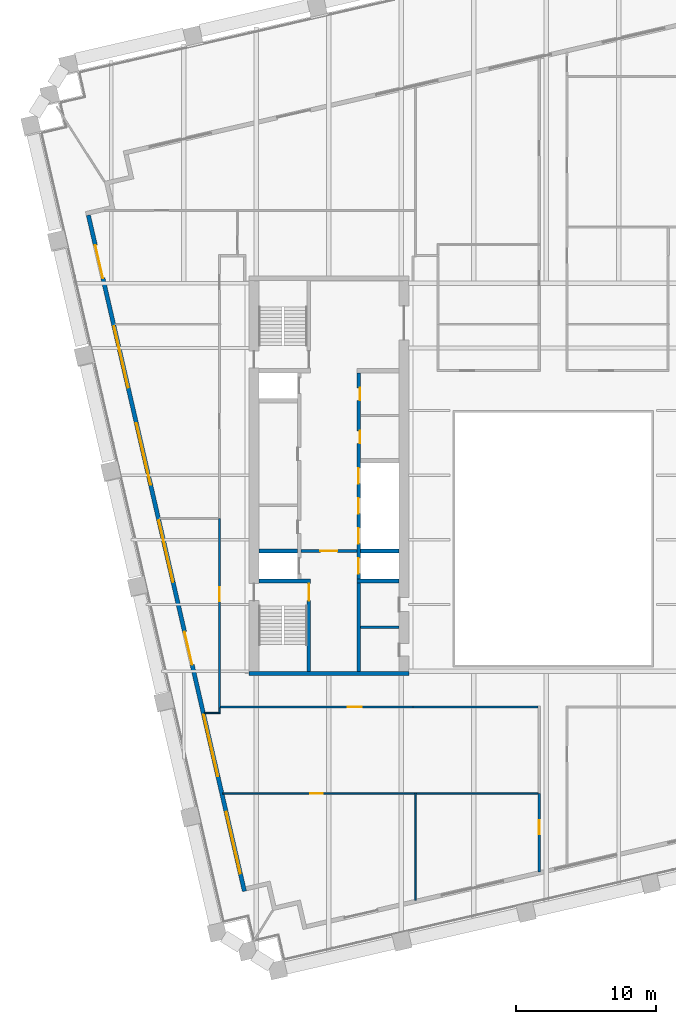
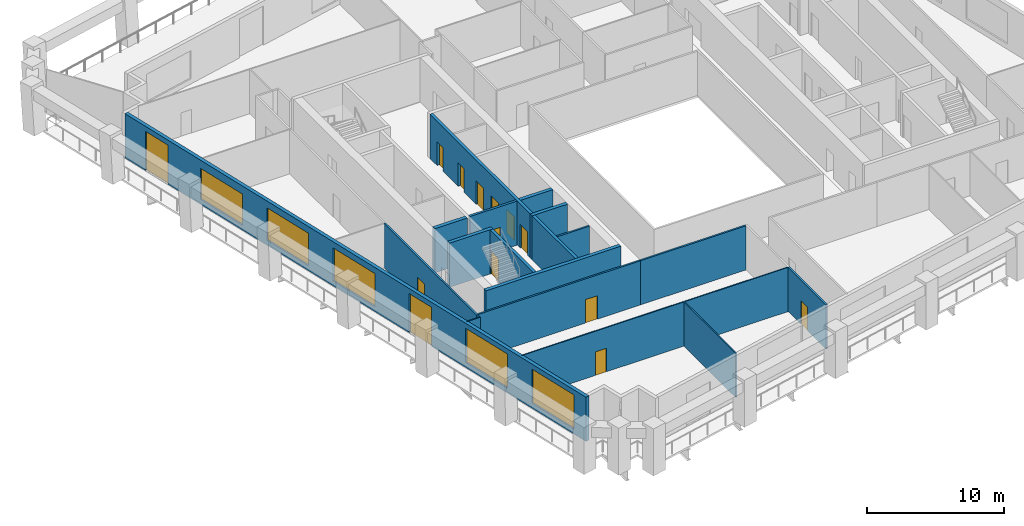
# One storey, part 4 of 11: 19 walls, 14 doors, 5 windows, 19 openings.
"""IFC4 building model written with IfcOpenShell, lengths in metres."""

import ifcopenshell
import ifcopenshell.guid

model = None  # the IFC model being written
_history = None  # IfcOwnerHistory: only IFC2X3 demands one
_inside = {}  # id of a spatial element -> (the spatial element, [elements in it])
_under = {}  # id of a project, library or spatial element -> (it, [spatial elements below it])
_declared = {}  # id of a project -> (the project, [libraries it declares])
_typed = {}  # id of a type object -> (the type object, [elements of that type])
_made_of = {}  # id of a material, layer set ... -> (it, [elements and type objects made of it])


def new_model(schema):
    """Start an empty IFC model of exactly this schema.

    Asked for "IFC4X3", IfcOpenShell would pick the latest addendum, in which some entities
    have other attributes; the version numbers below select the first issue.
    IFC2X3 requires an IfcOwnerHistory on every rooted entity: one is made here for all.
    """
    global model, _history
    if schema == "IFC4X3":
        model = ifcopenshell.file(schema_version=(4, 3, 0, 0))
    else:
        model = ifcopenshell.file(schema=schema)
    _inside.clear()
    _under.clear()
    _declared.clear()
    _typed.clear()
    _made_of.clear()
    _history = None
    if model.schema == "IFC2X3":
        org = make("IfcOrganization", Name="unknown")
        user = make(
            "IfcPersonAndOrganization",
            ThePerson=make("IfcPerson", FamilyName="unknown"),
            TheOrganization=org,
        )
        app = make(
            "IfcApplication",
            ApplicationDeveloper=org,
            Version="unknown",
            ApplicationFullName="unknown",
            ApplicationIdentifier="unknown",
        )
        _history = make(
            "IfcOwnerHistory",
            OwningUser=user,
            OwningApplication=app,
            ChangeAction="ADDED",
            CreationDate=0,
        )
    return model


def make(cls, **values):
    """One entity of the class cls with the attributes given. An attribute that is None is left unset."""
    return model.create_entity(
        cls, **{name: value for name, value in values.items() if value is not None}
    )


def rooted(cls, **values):
    """An entity with a GlobalId (a new one), such as an element, a storey or a relation."""
    return make(cls, GlobalId=ifcopenshell.guid.new(), OwnerHistory=_history, **values)


def si_unit(unit_type, name, prefix=None):
    """IfcSIUnit, for example si_unit("LENGTHUNIT", "METRE", prefix="MILLI")."""
    return make("IfcSIUnit", UnitType=unit_type, Prefix=prefix, Name=name)


def assignment(units):
    """IfcUnitAssignment: the units of a project."""
    return None if units is None else make("IfcUnitAssignment", Units=units)


def point(xyz):
    """IfcCartesianPoint."""
    return None if xyz is None else make("IfcCartesianPoint", Coordinates=xyz)


def direction(xyz):
    """IfcDirection."""
    return None if xyz is None else make("IfcDirection", DirectionRatios=xyz)


def frame(location, z_axis=None, x_axis=None):
    """IfcAxis2Placement3D, a coordinate frame: its origin and axes. An axis left out is left unset."""
    return make(
        "IfcAxis2Placement3D",
        Location=point(location),
        Axis=direction(z_axis),
        RefDirection=direction(x_axis),
    )


def frame_2d(location, x_axis=None):
    """IfcAxis2Placement2D, a coordinate frame in the plane: its origin and x axis."""
    return make(
        "IfcAxis2Placement2D", Location=point(location), RefDirection=direction(x_axis)
    )


def origin():
    """The frame at (0, 0, 0) with its axes left unset."""
    return frame((0.0, 0.0, 0.0))


def place(relative_to, where):
    """IfcLocalPlacement: puts the frame where relative to a parent placement (None: the world)."""
    return make(
        "IfcLocalPlacement", PlacementRelTo=relative_to, RelativePlacement=where
    )


def context(
    kind, dimensions, precision=None, world=None, true_north=None, identifier=None
):
    """IfcGeometricRepresentationContext, for example the 3D "Model" context."""
    return make(
        "IfcGeometricRepresentationContext",
        ContextIdentifier=identifier,
        ContextType=kind,
        CoordinateSpaceDimension=dimensions,
        Precision=precision,
        WorldCoordinateSystem=world,
        TrueNorth=true_north,
    )


def subcontext(parent, identifier, kind, view, scale=None):
    """IfcGeometricRepresentationSubContext, for example "Body" below "Model"."""
    return make(
        "IfcGeometricRepresentationSubContext",
        ContextIdentifier=identifier,
        ContextType=kind,
        ParentContext=parent,
        TargetScale=scale,
        TargetView=view,
    )


def project(units=None, contexts=None):
    """IfcProject with its units and contexts."""
    return rooted(
        "IfcProject",
        Name="project",
        RepresentationContexts=contexts,
        UnitsInContext=assignment(units),
    )


def spatial(cls, under=None, at=None, **own):
    """A site, building, storey or space (cls), placed at a placement, below another one or the project."""
    s = rooted(cls, ObjectPlacement=at, **own)
    if under is not None:
        _under.setdefault(under.id(), (under, []))[1].append(s)
    return s


def profile(cls, at=None, kind="AREA", **sizes):
    """A parametric profile (cls). Its sizes go by their IFC names, for example OverallWidth=200.0."""
    return make(cls, ProfileType=kind, Position=at, **sizes)


def rectangle(**sizes):
    """IfcRectangleProfileDef."""
    return profile("IfcRectangleProfileDef", **sizes)


def extrude(swept, where, along, depth):
    """IfcExtrudedAreaSolid: the profile swept, set in the frame where, extruded along a direction by depth."""
    return make(
        "IfcExtrudedAreaSolid",
        SweptArea=swept,
        Position=where,
        ExtrudedDirection=direction(along),
        Depth=depth,
    )


def shape(context_of_items, identifier, shape_type, items):
    """IfcShapeRepresentation: the items that make up one representation, for example the "Body"."""
    return make(
        "IfcShapeRepresentation",
        ContextOfItems=context_of_items,
        RepresentationIdentifier=identifier,
        RepresentationType=shape_type,
        Items=items,
    )


def material(Name=None, Category=None):
    """IfcMaterial."""
    return make("IfcMaterial", Name=Name, Category=Category)


def layer(
    of_material, thickness, ventilated=None, Name=None, Category=None, Priority=None
):
    """IfcMaterialLayer: one layer of a wall or slab, of a material (None: an air gap)."""
    return make(
        "IfcMaterialLayer",
        Material=of_material,
        LayerThickness=thickness,
        IsVentilated=ventilated,
        Name=Name,
        Category=Category,
        Priority=Priority,
    )


def layer_set(layers, Name=None):
    """IfcMaterialLayerSet."""
    return make("IfcMaterialLayerSet", MaterialLayers=layers, LayerSetName=Name)


def made_of(thing, what):
    """Note that an element or type object is made of a material, layer set ...; save() writes the relation."""
    if what is not None:
        _made_of.setdefault(what.id(), (what, []))[1].append(thing)
    return thing


def type_object(cls, material=None, **own):
    """A type object (cls), such as IfcWallType, which elements share."""
    return made_of(rooted(cls, **own), material)


def element(
    cls,
    number,
    at=None,
    inside=None,
    cuts=None,
    type_object=None,
    material=None,
    context=None,
    identifier="Body",
    shape_type=None,
    held_by="IfcProductDefinitionShape",
    body=None,
    shapes=None,
    **own,
):
    """One element of the class cls, such as IfcWall. Its Tag is "e" and its number.

    at: its placement. inside: the storey or other place that contains it. cuts: it is an
    opening in that element (IfcRelVoidsElement). A single representation is given by context,
    identifier, shape_type and body (its items); several are given by shapes. held_by: the class
    of the entity that holds the representations. save() writes the other relations.
    """
    e = rooted(cls, Tag="e%d" % number, ObjectPlacement=at, **own)
    if body is not None:
        shapes = [shape(context, identifier, shape_type, body)]
    if shapes is not None:
        e.Representation = make(held_by, Representations=shapes)
    if inside is not None:
        _inside.setdefault(inside.id(), (inside, []))[1].append(e)
    if cuts is not None:
        rooted(
            "IfcRelVoidsElement", RelatingBuildingElement=cuts, RelatedOpeningElement=e
        )
    if type_object is not None:
        _typed.setdefault(type_object.id(), (type_object, []))[1].append(e)
    return made_of(e, material)


def fill(opening, filler):
    """IfcRelFillsElement: the door or window that sits in an opening."""
    return rooted(
        "IfcRelFillsElement",
        RelatingOpeningElement=opening,
        RelatedBuildingElement=filler,
    )


def aggregate(whole, parts):
    """IfcRelAggregates: a whole, such as a stair, and the parts it consists of."""
    return rooted("IfcRelAggregates", RelatingObject=whole, RelatedObjects=parts)


def save(model, path):
    """Write the relations noted so far, then the file.

    IfcRelAggregates (storeys below a building ...), IfcRelContainedInSpatialStructure (elements
    in a storey), IfcRelDefinesByType, IfcRelAssociatesMaterial and IfcRelDeclares: one each for
    every whole, place, type object, material and project.
    """
    for whole, parts in _under.values():
        aggregate(whole, parts)
    for where, things in _inside.values():
        rooted(
            "IfcRelContainedInSpatialStructure",
            RelatedElements=things,
            RelatingStructure=where,
        )
    for kind, things in _typed.values():
        rooted("IfcRelDefinesByType", RelatedObjects=things, RelatingType=kind)
    for what, things in _made_of.values():
        rooted("IfcRelAssociatesMaterial", RelatedObjects=things, RelatingMaterial=what)
    for by, libraries in _declared.values():
        rooted("IfcRelDeclares", RelatingContext=by, RelatedDefinitions=libraries)
    model.write(path)


model = new_model("IFC4")

# Units and contexts
model_context = context("Model", 3, precision=1e-05, world=origin(), true_north=direction((0.0, 1.0)))
body_context = subcontext(model_context, "Body", "Model", "MODEL_VIEW")
ifc_project = project(units=[si_unit("LENGTHUNIT", "METRE"), si_unit("AREAUNIT", "SQUARE_METRE"), si_unit("VOLUMEUNIT", "CUBIC_METRE"), si_unit("PLANEANGLEUNIT", "RADIAN"), si_unit("MASSUNIT", "GRAM", prefix="KILO")], contexts=[model_context])

# Site, building, storey
site_placement = place(None, origin())
site = spatial("IfcSite", under=ifc_project, at=site_placement, CompositionType="ELEMENT")
building_placement = place(site_placement, origin())
building = spatial("IfcBuilding", under=site, at=building_placement, Name="Ogive Exchange Tower", CompositionType="ELEMENT")
storey_placement = place(building_placement, frame((0.0, 0.0, 217.800048828125)))
storey = spatial("IfcBuildingStorey", under=building, at=storey_placement, Name="L48", CompositionType="ELEMENT", Elevation=217.800048828125)

# Wall
ifc_material_1 = material(Name="Gypsum board partition")
ifc_layer_1 = layer(ifc_material_1, 0.14990234375)
ifc_layer_set_1 = layer_set([ifc_layer_1], Name="Core room partition 150 gypsum")
wall_type_1 = type_object("IfcWallType", Name="Core room partition 150 gypsum", PredefinedType="PARTITIONING", material=ifc_layer_set_1)
wall_1_placement = place(storey_placement, frame((-13.75, 0.699951171875, 0.0), z_axis=(0.0, 0.0, 1.0), x_axis=(1.0, 0.0, 0.0)))
element("IfcWall", 1, at=wall_1_placement, inside=storey, type_object=wall_type_1, Name="W south room partition", PredefinedType="PARTITIONING", context=body_context, shape_type="SweptSolid", body=[
    extrude(rectangle(XDim=2.75, YDim=0.14990234375, at=frame_2d((1.375, 0.0))), origin(), (0.0, 0.0, 1.0), 3.949951171875),
])

# Wall, opening, door
ifc_material_2 = material(Name="Fire partition EI 60 150")
ifc_layer_2 = layer(ifc_material_2, 0.14990234375)
ifc_layer_set_2 = layer_set([ifc_layer_2], Name="Fire partition EI 60 150")
wall_type_2 = type_object("IfcWallType", Name="Fire partition EI 60 150", PredefinedType="PARTITIONING", material=ifc_layer_set_2)
wall_2_placement = place(storey_placement, frame((-23.800048828125, -5.074951171875, 0.0), z_axis=(0.0, 0.0, 1.0), x_axis=(0.0, 1.0, 0.0)))
wall_2 = element("IfcWall", 2, at=wall_2_placement, inside=storey, type_object=wall_type_2, Name="L48-PWL-002", PredefinedType="PARTITIONING", context=body_context, shape_type="SweptSolid", body=[
    extrude(rectangle(XDim=13.52490234375, YDim=0.14990234375, at=frame_2d((6.762451171875, 0.0))), origin(), (0.0, 0.0, 1.0), 3.949951171875),
])
opening_1_placement = place(wall_2_placement, frame((7.625, 0.0, 0.0)))
opening_1 = element("IfcOpeningElement", 3, at=opening_1_placement, cuts=wall_2, Name="Opening L48-I08", PredefinedType="OPENING", context=body_context, shape_type="SweptSolid", body=[
    extrude(rectangle(XDim=1.0, YDim=2.10009765625, at=frame_2d((0.5, 1.050048828125))), frame((0.0, 0.0849609375, 0.0), z_axis=(0.0, -1.0, 0.0), x_axis=(1.0, 0.0, 0.0)), (0.0, 0.0, 1.0), 0.169921875),
])
ifc_material_3 = material(Name="Fire door FD 30S 1000 x 2100")
door_type_1 = type_object("IfcDoorType", Name="Fire door FD 30S 1000 x 2100", OperationType="NOTDEFINED", PredefinedType="DOOR", material=ifc_material_3)
door_1_placement = place(opening_1_placement, origin())
door_1 = element("IfcDoor", 4, at=door_1_placement, inside=storey, type_object=door_type_1, Name="L48-IDR-008", ObjectType="DT3", OperationType="SINGLE_SWING_RIGHT", OverallHeight=2.10009765625, OverallWidth=1.0, PredefinedType="DOOR", context=body_context, shape_type="SweptSolid", body=[
    extrude(rectangle(XDim=1.0, YDim=2.10009765625, at=frame_2d((0.5, 1.050048828125))), frame((0.0, 0.02490234375, 0.0), z_axis=(0.0, -1.0, 0.0), x_axis=(1.0, 0.0, 0.0)), (0.0, 0.0, 1.0), 0.050048828125),
])
fill(opening_1, door_1)

wall_3_placement = place(storey_placement, frame((-10.0, -5.0, 0.0), z_axis=(0.0, 0.0, 1.0), x_axis=(-1.0, 0.0, 0.0)))
wall_3 = element("IfcWall", 5, at=wall_3_placement, inside=storey, type_object=wall_type_2, Name="L48-PWL-013", PredefinedType="PARTITIONING", context=body_context, shape_type="SweptSolid", body=[
    extrude(rectangle(XDim=13.715087890625, YDim=0.14990234375, at=frame_2d((6.857421875, 0.0))), origin(), (0.0, 0.0, 1.0), 3.949951171875),
])
opening_2_placement = place(wall_3_placement, frame((3.639892578125, 0.0, 0.0)))
opening_2 = element("IfcOpeningElement", 6, at=opening_2_placement, cuts=wall_3, Name="Opening L48-I09", PredefinedType="OPENING", context=body_context, shape_type="SweptSolid", body=[
    extrude(rectangle(XDim=1.0, YDim=2.10009765625, at=frame_2d((0.5, 1.050048828125))), frame((0.0, 0.0849609375, 0.0), z_axis=(0.0, -1.0, 0.0), x_axis=(1.0, 0.0, 0.0)), (0.0, 0.0, 1.0), 0.169921875),
])
door_2_placement = place(opening_2_placement, origin())
door_2 = element("IfcDoor", 7, at=door_2_placement, inside=storey, type_object=door_type_1, Name="L48-IDR-009", ObjectType="DT3", OperationType="SINGLE_SWING_RIGHT", OverallHeight=2.10009765625, OverallWidth=1.0, PredefinedType="DOOR", context=body_context, shape_type="SweptSolid", body=[
    extrude(rectangle(XDim=1.0, YDim=2.10009765625, at=frame_2d((0.5, 1.050048828125))), frame((0.0, 0.02490234375, 0.0), z_axis=(0.0, -1.0, 0.0), x_axis=(1.0, 0.0, 0.0)), (0.0, 0.0, 1.0), 0.050048828125),
])
fill(opening_2, door_2)

wall_4_placement = place(storey_placement, frame((-0.989990234375, -16.7529296875, 0.0), z_axis=(0.0, 0.0, 1.0), x_axis=(0.0, 1.0, 0.0)))
wall_4 = element("IfcWall", 8, at=wall_4_placement, inside=storey, type_object=wall_type_2, Name="L48-PWL-027", PredefinedType="PARTITIONING", context=body_context, shape_type="SweptSolid", body=[
    extrude(rectangle(XDim=5.5830078125, YDim=0.14990234375, at=frame_2d((2.79150390625, 0.0))), origin(), (0.0, 0.0, 1.0), 3.949951171875),
])
opening_3_placement = place(wall_4_placement, frame((2.68310546875, 0.0, 0.0)))
opening_3 = element("IfcOpeningElement", 9, at=opening_3_placement, cuts=wall_4, Name="Opening L48-I10", PredefinedType="OPENING", context=body_context, shape_type="SweptSolid", body=[
    extrude(rectangle(XDim=1.0, YDim=2.10009765625, at=frame_2d((0.5, 1.050048828125))), frame((0.0, 0.0849609375, 0.0), z_axis=(0.0, -1.0, 0.0), x_axis=(1.0, 0.0, 0.0)), (0.0, 0.0, 1.0), 0.169921875),
])
door_3_placement = place(opening_3_placement, origin())
door_3 = element("IfcDoor", 10, at=door_3_placement, inside=storey, type_object=door_type_1, Name="L48-IDR-010", ObjectType="DT3", OperationType="SINGLE_SWING_LEFT", OverallHeight=2.10009765625, OverallWidth=1.0, PredefinedType="DOOR", context=body_context, shape_type="SweptSolid", body=[
    extrude(rectangle(XDim=1.0, YDim=2.10009765625, at=frame_2d((0.5, 1.050048828125))), frame((0.0, 0.02490234375, 0.0), z_axis=(0.0, -1.0, 0.0), x_axis=(1.0, 0.0, 0.0)), (0.0, 0.0, 1.0), 0.050048828125),
])
fill(opening_3, door_3)

# Wall
wall_5_placement = place(storey_placement, frame((-1.06494140625, -5.0, 0.0), z_axis=(0.0, 0.0, 1.0), x_axis=(-1.0, 0.0, 0.0)))
element("IfcWall", 11, at=wall_5_placement, inside=storey, type_object=wall_type_2, Name="L48-PWL-030", PredefinedType="PARTITIONING", context=body_context, shape_type="SweptSolid", body=[
    extrude(rectangle(XDim=8.93505859375, YDim=0.14990234375, at=frame_2d((4.467529296875, 0.0))), origin(), (0.0, 0.0, 1.0), 3.949951171875),
])

# Wall, openings, doors, windows
ifc_material_4 = material(Name="Precast concrete C40/50", Category="concrete")
ifc_layer_3 = layer(ifc_material_4, 0.300048828125)
ifc_layer_set_3 = layer_set([ifc_layer_3], Name="Limestone-faced wall 300")
wall_type_3 = type_object("IfcWallType", Name="Limestone-faced wall 300", PredefinedType="STANDARD", material=ifc_layer_set_3)
wall_6_placement = place(storey_placement, frame((-33.1572265625, 30.092041015625, 0.0), z_axis=(0.0, 0.0, 1.0), x_axis=(0.224950279389, -0.974370243697, 0.0)))
wall_6 = element("IfcWall", 12, at=wall_6_placement, inside=storey, type_object=wall_type_3, Name="External wall W4", PredefinedType="STANDARD", context=body_context, shape_type="SweptSolid", body=[
    extrude(rectangle(XDim=49.499755859375, YDim=0.300048828125, at=frame_2d((24.75, 0.0))), origin(), (0.0, 0.0, 1.0), 3.949951171875),
])
opening_4_placement = place(wall_6_placement, frame((2.20703125, 0.0, 0.0)))
opening_4 = element("IfcOpeningElement", 13, at=opening_4_placement, cuts=wall_6, Name="Opening D1", PredefinedType="OPENING", context=body_context, shape_type="SweptSolid", body=[
    extrude(rectangle(XDim=2.39990234375, YDim=3.5, at=frame_2d((1.199951171875, 1.75))), frame((0.0, 0.159912109375, 0.0), z_axis=(0.0, -1.0, 0.0), x_axis=(1.0, 0.0, 0.0)), (0.0, 0.0, 1.0), 0.320068359375),
])
opening_5_placement = place(wall_6_placement, frame((8.121337890625, 0.0, 0.449951171875)))
opening_5 = element("IfcOpeningElement", 14, at=opening_5_placement, cuts=wall_6, Name="Opening W1G", PredefinedType="OPENING", context=body_context, shape_type="SweptSolid", body=[
    extrude(rectangle(XDim=4.5, YDim=2.77490234375, at=frame_2d((2.25, 1.387451171875))), frame((0.0, 0.159912109375, 0.0), z_axis=(0.0, -1.0, 0.0), x_axis=(1.0, 0.0, 0.0)), (0.0, 0.0, 1.0), 0.320068359375),
])
opening_6_placement = place(wall_6_placement, frame((15.235595703125, 0.0, 0.449951171875)))
opening_6 = element("IfcOpeningElement", 15, at=opening_6_placement, cuts=wall_6, Name="Opening W1C", PredefinedType="OPENING", context=body_context, shape_type="SweptSolid", body=[
    extrude(rectangle(XDim=4.5, YDim=2.89990234375, at=frame_2d((2.25, 1.449951171875))), frame((0.0, 0.159912109375, 0.0), z_axis=(0.0, -1.0, 0.0), x_axis=(1.0, 0.0, 0.0)), (0.0, 0.0, 1.0), 0.320068359375),
])
opening_7_placement = place(wall_6_placement, frame((22.35009765625, 0.0, 0.449951171875)))
opening_7 = element("IfcOpeningElement", 16, at=opening_7_placement, cuts=wall_6, Name="Opening W1B", PredefinedType="OPENING", context=body_context, shape_type="SweptSolid", body=[
    extrude(rectangle(XDim=4.5, YDim=2.949951171875, at=frame_2d((2.25, 1.47509765625))), frame((0.0, 0.159912109375, 0.0), z_axis=(0.0, -1.0, 0.0), x_axis=(1.0, 0.0, 0.0)), (0.0, 0.0, 1.0), 0.320068359375),
])
opening_8_placement = place(wall_6_placement, frame((30.51416015625, 0.0, 0.0)))
opening_8 = element("IfcOpeningElement", 17, at=opening_8_placement, cuts=wall_6, Name="Opening D1", PredefinedType="OPENING", context=body_context, shape_type="SweptSolid", body=[
    extrude(rectangle(XDim=2.39990234375, YDim=3.5, at=frame_2d((1.199951171875, 1.75))), frame((0.0, 0.159912109375, 0.0), z_axis=(0.0, -1.0, 0.0), x_axis=(1.0, 0.0, 0.0)), (0.0, 0.0, 1.0), 0.320068359375),
])
opening_9_placement = place(wall_6_placement, frame((36.57861328125, 0.0, 0.449951171875)))
opening_9 = element("IfcOpeningElement", 18, at=opening_9_placement, cuts=wall_6, Name="Opening W1", PredefinedType="OPENING", context=body_context, shape_type="SweptSolid", body=[
    extrude(rectangle(XDim=4.5, YDim=3.050048828125, at=frame_2d((2.25, 1.52490234375))), frame((0.0, 0.159912109375, 0.0), z_axis=(0.0, -1.0, 0.0), x_axis=(1.0, 0.0, 0.0)), (0.0, 0.0, 1.0), 0.320068359375),
])
opening_10_placement = place(wall_6_placement, frame((43.69287109375, 0.0, 0.449951171875)))
opening_10 = element("IfcOpeningElement", 19, at=opening_10_placement, cuts=wall_6, Name="Opening W1", PredefinedType="OPENING", context=body_context, shape_type="SweptSolid", body=[
    extrude(rectangle(XDim=4.5, YDim=3.050048828125, at=frame_2d((2.25, 1.52490234375))), frame((0.0, 0.159912109375, 0.0), z_axis=(0.0, -1.0, 0.0), x_axis=(1.0, 0.0, 0.0)), (0.0, 0.0, 1.0), 0.320068359375),
])
ifc_material_5 = material(Name="Clear glass in bronze frame", Category="glass")
door_type_2 = type_object("IfcDoorType", Name="Sliding loggia door 2400 x 3500", OperationType="DOUBLE_DOOR_SLIDING", PredefinedType="DOOR", material=ifc_material_5)
door_4_placement = place(opening_4_placement, origin())
door_4 = element("IfcDoor", 20, at=door_4_placement, inside=storey, type_object=door_type_2, Name="Loggia door W00", OperationType="DOUBLE_DOOR_SLIDING", OverallHeight=3.5, OverallWidth=2.39990234375, PredefinedType="DOOR", context=body_context, shape_type="SweptSolid", body=[
    extrude(rectangle(XDim=2.39990234375, YDim=3.5, at=frame_2d((1.199951171875, 1.75))), frame((0.0, 0.02490234375, 0.0), z_axis=(0.0, -1.0, 0.0), x_axis=(1.0, 0.0, 0.0)), (0.0, 0.0, 1.0), 0.050048828125),
])
fill(opening_4, door_4)
door_5_placement = place(opening_8_placement, origin())
door_5 = element("IfcDoor", 21, at=door_5_placement, inside=storey, type_object=door_type_2, Name="Loggia door W04", OperationType="DOUBLE_DOOR_SLIDING", OverallHeight=3.5, OverallWidth=2.39990234375, PredefinedType="DOOR", context=body_context, shape_type="SweptSolid", body=[
    extrude(rectangle(XDim=2.39990234375, YDim=3.5, at=frame_2d((1.199951171875, 1.75))), frame((0.0, 0.02490234375, 0.0), z_axis=(0.0, -1.0, 0.0), x_axis=(1.0, 0.0, 0.0)), (0.0, 0.0, 1.0), 0.050048828125),
])
fill(opening_8, door_5)
window_type_1 = type_object("IfcWindowType", Name="Twin lancet window 4500 x 2775", PartitioningType="DOUBLE_PANEL_VERTICAL", PredefinedType="WINDOW", material=ifc_material_5)
window_1_placement = place(opening_5_placement, origin())
window_1 = element("IfcWindow", 22, at=window_1_placement, inside=storey, type_object=window_type_1, Name="Window W01", OverallHeight=2.77490234375, OverallWidth=4.5, PartitioningType="DOUBLE_PANEL_VERTICAL", PredefinedType="WINDOW", context=body_context, shape_type="SweptSolid", body=[
    extrude(rectangle(XDim=4.5, YDim=2.77490234375, at=frame_2d((2.25, 1.387451171875))), frame((0.0, 0.030029296875, 0.0), z_axis=(0.0, -1.0, 0.0), x_axis=(1.0, 0.0, 0.0)), (0.0, 0.0, 1.0), 0.06005859375),
])
fill(opening_5, window_1)
window_type_2 = type_object("IfcWindowType", Name="Twin lancet window 4500 x 2900", PartitioningType="DOUBLE_PANEL_VERTICAL", PredefinedType="WINDOW", material=ifc_material_5)
window_2_placement = place(opening_6_placement, origin())
window_2 = element("IfcWindow", 23, at=window_2_placement, inside=storey, type_object=window_type_2, Name="Window W02", OverallHeight=2.89990234375, OverallWidth=4.5, PartitioningType="DOUBLE_PANEL_VERTICAL", PredefinedType="WINDOW", context=body_context, shape_type="SweptSolid", body=[
    extrude(rectangle(XDim=4.5, YDim=2.89990234375, at=frame_2d((2.25, 1.449951171875))), frame((0.0, 0.030029296875, 0.0), z_axis=(0.0, -1.0, 0.0), x_axis=(1.0, 0.0, 0.0)), (0.0, 0.0, 1.0), 0.06005859375),
])
fill(opening_6, window_2)
window_type_3 = type_object("IfcWindowType", Name="Twin lancet window 4500 x 2950", PartitioningType="DOUBLE_PANEL_VERTICAL", PredefinedType="WINDOW", material=ifc_material_5)
window_3_placement = place(opening_7_placement, origin())
window_3 = element("IfcWindow", 24, at=window_3_placement, inside=storey, type_object=window_type_3, Name="Window W03", OverallHeight=2.949951171875, OverallWidth=4.5, PartitioningType="DOUBLE_PANEL_VERTICAL", PredefinedType="WINDOW", context=body_context, shape_type="SweptSolid", body=[
    extrude(rectangle(XDim=4.5, YDim=2.949951171875, at=frame_2d((2.25, 1.47509765625))), frame((0.0, 0.030029296875, 0.0), z_axis=(0.0, -1.0, 0.0), x_axis=(1.0, 0.0, 0.0)), (0.0, 0.0, 1.0), 0.06005859375),
])
fill(opening_7, window_3)
window_type_4 = type_object("IfcWindowType", Name="Twin lancet window 4500 x 3050", PartitioningType="DOUBLE_PANEL_VERTICAL", PredefinedType="WINDOW", material=ifc_material_5)
window_4_placement = place(opening_9_placement, origin())
window_4 = element("IfcWindow", 25, at=window_4_placement, inside=storey, type_object=window_type_4, Name="Window W05", OverallHeight=3.050048828125, OverallWidth=4.5, PartitioningType="DOUBLE_PANEL_VERTICAL", PredefinedType="WINDOW", context=body_context, shape_type="SweptSolid", body=[
    extrude(rectangle(XDim=4.5, YDim=3.050048828125, at=frame_2d((2.25, 1.52490234375))), frame((0.0, 0.030029296875, 0.0), z_axis=(0.0, -1.0, 0.0), x_axis=(1.0, 0.0, 0.0)), (0.0, 0.0, 1.0), 0.06005859375),
])
fill(opening_9, window_4)
window_5_placement = place(opening_10_placement, origin())
window_5 = element("IfcWindow", 26, at=window_5_placement, inside=storey, type_object=window_type_4, Name="Window W06", OverallHeight=3.050048828125, OverallWidth=4.5, PartitioningType="DOUBLE_PANEL_VERTICAL", PredefinedType="WINDOW", context=body_context, shape_type="SweptSolid", body=[
    extrude(rectangle(XDim=4.5, YDim=3.050048828125, at=frame_2d((2.25, 1.52490234375))), frame((0.0, 0.030029296875, 0.0), z_axis=(0.0, -1.0, 0.0), x_axis=(1.0, 0.0, 0.0)), (0.0, 0.0, 1.0), 0.06005859375),
])
fill(opening_10, window_5)

# Walls
ifc_material_6 = material(Name="Partition 100 gypsum")
ifc_layer_4 = layer(ifc_material_6, 0.10009765625)
ifc_layer_set_4 = layer_set([ifc_layer_4], Name="Partition 100 gypsum")
wall_type_4 = type_object("IfcWallType", Name="Partition 100 gypsum", PredefinedType="PARTITIONING", material=ifc_layer_set_4)
wall_7_placement = place(storey_placement, frame((-23.739990234375, -5.419921875, 0.0), z_axis=(0.0, 0.0, 1.0), x_axis=(-1.0, 0.0, 0.0)))
element("IfcWall", 27, at=wall_7_placement, inside=storey, type_object=wall_type_4, Name="L48-PWL-007", PredefinedType="PARTITIONING", context=body_context, shape_type="SweptSolid", body=[
    extrude(rectangle(XDim=1.14697265625, YDim=0.10009765625, at=frame_2d((0.573486328125, 0.0))), origin(), (0.0, 0.0, 1.0), 3.949951171875),
])
wall_8_placement = place(storey_placement, frame((-23.7900390625, -5.074951171875, 0.0), z_axis=(0.0, 0.0, 1.0), x_axis=(0.0, -1.0, 0.0)))
element("IfcWall", 28, at=wall_8_placement, inside=storey, type_object=wall_type_4, Name="L48-PWL-008", PredefinedType="PARTITIONING", context=body_context, shape_type="SweptSolid", body=[
    extrude(rectangle(XDim=0.295166015625, YDim=0.10009765625, at=frame_2d((0.1474609375, 0.0))), origin(), (0.0, 0.0, 1.0), 3.949951171875),
])
wall_9_placement = place(storey_placement, frame((-9.830078125, -18.7939453125, 0.0), z_axis=(0.0, 0.0, 1.0), x_axis=(0.0, 1.0, 0.0)))
element("IfcWall", 29, at=wall_9_placement, inside=storey, type_object=wall_type_4, Name="L48-PWL-015", PredefinedType="PARTITIONING", context=body_context, shape_type="SweptSolid", body=[
    extrude(rectangle(XDim=7.673828125, YDim=0.10009765625, at=frame_2d((3.8369140625, 0.0))), origin(), (0.0, 0.0, 1.0), 3.949951171875),
])

# Wall, opening, door
wall_10_placement = place(storey_placement, frame((-9.8798828125, -11.169921875, 0.0), z_axis=(0.0, 0.0, 1.0), x_axis=(-1.0, 0.0, 0.0)))
wall_10 = element("IfcWall", 30, at=wall_10_placement, inside=storey, type_object=wall_type_4, Name="L48-PWL-016", PredefinedType="PARTITIONING", context=body_context, shape_type="SweptSolid", body=[
    extrude(rectangle(XDim=13.68017578125, YDim=0.10009765625, at=frame_2d((6.840087890625, 0.0))), origin(), (0.0, 0.0, 1.0), 3.949951171875),
])
opening_11_placement = place(wall_10_placement, frame((6.550048828125, 0.0, 0.0)))
opening_11 = element("IfcOpeningElement", 31, at=opening_11_placement, cuts=wall_10, Name="Opening L48-I11", PredefinedType="OPENING", context=body_context, shape_type="SweptSolid", body=[
    extrude(rectangle(XDim=0.89990234375, YDim=2.10009765625, at=frame_2d((0.449951171875, 1.050048828125))), frame((0.0, 0.06005859375, 0.0), z_axis=(0.0, -1.0, 0.0), x_axis=(1.0, 0.0, 0.0)), (0.0, 0.0, 1.0), 0.1201171875),
])
ifc_material_7 = material(Name="Door 900 x 2100")
door_type_3 = type_object("IfcDoorType", Name="Door 900 x 2100", OperationType="NOTDEFINED", PredefinedType="DOOR", material=ifc_material_7)
door_6_placement = place(opening_11_placement, origin())
door_6 = element("IfcDoor", 32, at=door_6_placement, inside=storey, type_object=door_type_3, Name="L48-IDR-011", ObjectType="DT1", OperationType="SINGLE_SWING_LEFT", OverallHeight=2.10009765625, OverallWidth=0.89990234375, PredefinedType="DOOR", context=body_context, shape_type="SweptSolid", body=[
    extrude(rectangle(XDim=0.89990234375, YDim=2.10009765625, at=frame_2d((0.449951171875, 1.050048828125))), frame((0.0, 0.02490234375, 0.0), z_axis=(0.0, -1.0, 0.0), x_axis=(1.0, 0.0, 0.0)), (0.0, 0.0, 1.0), 0.050048828125),
])
fill(opening_11, door_6)

# Wall
wall_11_placement = place(storey_placement, frame((-1.06494140625, -11.169921875, 0.0), z_axis=(0.0, 0.0, 1.0), x_axis=(-1.0, 0.0, 0.0)))
element("IfcWall", 33, at=wall_11_placement, inside=storey, type_object=wall_type_4, Name="L48-PWL-028", PredefinedType="PARTITIONING", context=body_context, shape_type="SweptSolid", body=[
    extrude(rectangle(XDim=8.715087890625, YDim=0.10009765625, at=frame_2d((4.357421875, 0.0))), origin(), (0.0, 0.0, 1.0), 3.949951171875),
])

# Wall, opening, door
ifc_material_8 = material(Name="Concrete C70/85", Category="concrete")
ifc_layer_5 = layer(ifc_material_8, 0.199951171875)
ifc_layer_set_5 = layer_set([ifc_layer_5], Name="RC core wall 200 C70/85")
wall_type_5 = type_object("IfcWallType", Name="RC core wall 200 C70/85", PredefinedType="SHEAR", material=ifc_layer_set_5)
wall_12_placement = place(storey_placement, frame((-18.0, 6.142822265625, 0.0), z_axis=(0.0, 0.0, 1.0), x_axis=(1.0, 0.0, 0.0)))
wall_12 = element("IfcWall", 34, at=wall_12_placement, inside=storey, type_object=wall_type_5, Name="W firefighting lobby wall", PredefinedType="SHEAR", context=body_context, shape_type="SweptSolid", body=[
    extrude(rectangle(XDim=4.0, YDim=0.199951171875, at=frame_2d((2.0, 0.0))), origin(), (0.0, 0.0, 1.0), 3.949951171875),
])
opening_12_placement = place(wall_12_placement, frame((1.39990234375, 0.0, 0.0)))
opening_12 = element("IfcOpeningElement", 35, at=opening_12_placement, cuts=wall_12, Name="Opening L48-C11", PredefinedType="OPENING", context=body_context, shape_type="SweptSolid", body=[
    extrude(rectangle(XDim=1.199951171875, YDim=2.10009765625, at=frame_2d((0.60009765625, 1.050048828125))), frame((0.0, 0.10986328125, 0.0), z_axis=(0.0, -1.0, 0.0), x_axis=(1.0, 0.0, 0.0)), (0.0, 0.0, 1.0), 0.219970703125),
])
ifc_material_9 = material(Name="Steel fire door", Category="steel")
door_type_4 = type_object("IfcDoorType", Name="Firefighting lobby door FD60 1200 x 2100", OperationType="NOTDEFINED", PredefinedType="DOOR", material=ifc_material_9)
door_7_placement = place(opening_12_placement, frame((1.199951171875, 0.0, 0.0), z_axis=(0.0, 0.0, 1.0), x_axis=(-1.0, 0.0, 0.0)))
door_7 = element("IfcDoor", 36, at=door_7_placement, inside=storey, type_object=door_type_4, Name="Firefighting lobby door", ObjectType="CD3", OperationType="SINGLE_SWING_RIGHT", OverallHeight=2.10009765625, OverallWidth=1.199951171875, PredefinedType="DOOR", context=body_context, shape_type="SweptSolid", body=[
    extrude(rectangle(XDim=1.199951171875, YDim=2.10009765625, at=frame_2d((0.60009765625, 1.050048828125))), frame((0.0, 0.02490234375, 0.0), z_axis=(0.0, -1.0, 0.0), x_axis=(1.0, 0.0, 0.0)), (0.0, 0.0, 1.0), 0.050048828125),
])
fill(opening_12, door_7)

ifc_layer_6 = layer(ifc_material_8, 0.25)
ifc_layer_set_6 = layer_set([ifc_layer_6], Name="RC core wall 250 C70/85")
wall_type_6 = type_object("IfcWallType", Name="RC core wall 250 C70/85", PredefinedType="SHEAR", material=ifc_layer_set_6)
wall_13_placement = place(storey_placement, frame((-17.425048828125, -2.449951171875, 0.0), z_axis=(0.0, 0.0, 1.0), x_axis=(0.0, 1.0, 0.0)))
wall_13 = element("IfcWall", 37, at=wall_13_placement, inside=storey, type_object=wall_type_6, Name="W stair S front wall", PredefinedType="SHEAR", context=body_context, shape_type="SweptSolid", body=[
    extrude(rectangle(XDim=6.300048828125, YDim=0.25, at=frame_2d((3.14990234375, 0.0))), origin(), (0.0, 0.0, 1.0), 3.949951171875),
])
opening_13_placement = place(wall_13_placement, frame((5.050048828125, 0.0, 0.0)))
opening_13 = element("IfcOpeningElement", 38, at=opening_13_placement, cuts=wall_13, Name="Opening L48-C13", PredefinedType="OPENING", context=body_context, shape_type="SweptSolid", body=[
    extrude(rectangle(XDim=1.199951171875, YDim=2.10009765625, at=frame_2d((0.60009765625, 1.050048828125))), frame((0.0, 0.135009765625, 0.0), z_axis=(0.0, -1.0, 0.0), x_axis=(1.0, 0.0, 0.0)), (0.0, 0.0, 1.0), 0.27001953125),
])
door_type_5 = type_object("IfcDoorType", Name="Stair door FD90 1200 x 2100", OperationType="NOTDEFINED", PredefinedType="DOOR", material=ifc_material_9)
door_8_placement = place(opening_13_placement, origin())
door_8 = element("IfcDoor", 39, at=door_8_placement, inside=storey, type_object=door_type_5, Name="Stair door", ObjectType="CD5", OperationType="SINGLE_SWING_LEFT", OverallHeight=2.10009765625, OverallWidth=1.199951171875, PredefinedType="DOOR", context=body_context, shape_type="SweptSolid", body=[
    extrude(rectangle(XDim=1.199951171875, YDim=2.10009765625, at=frame_2d((0.60009765625, 1.050048828125))), frame((0.0, 0.02490234375, 0.0), z_axis=(0.0, -1.0, 0.0), x_axis=(1.0, 0.0, 0.0)), (0.0, 0.0, 1.0), 0.050048828125),
])
fill(opening_13, door_8)

# Wall, openings, doors
wall_14_placement = place(storey_placement, frame((-13.875, -2.449951171875, 0.0), z_axis=(0.0, 0.0, 1.0), x_axis=(0.0, 1.0, 0.0)))
wall_14 = element("IfcWall", 40, at=wall_14_placement, inside=storey, type_object=wall_type_6, Name="W row B front wall", PredefinedType="SHEAR", context=body_context, shape_type="SweptSolid", body=[
    extrude(rectangle(XDim=21.300048828125, YDim=0.25, at=frame_2d((10.64990234375, 0.0))), origin(), (0.0, 0.0, 1.0), 3.949951171875),
])
opening_14_placement = place(wall_14_placement, frame((16.2607421875, 0.0, 0.0)))
opening_14 = element("IfcOpeningElement", 41, at=opening_14_placement, cuts=wall_14, Name="Opening L48-C05", PredefinedType="OPENING", context=body_context, shape_type="SweptSolid", body=[
    extrude(rectangle(XDim=0.89990234375, YDim=2.10009765625, at=frame_2d((0.449951171875, 1.050048828125))), frame((0.0, 0.135009765625, 0.0), z_axis=(0.0, -1.0, 0.0), x_axis=(1.0, 0.0, 0.0)), (0.0, 0.0, 1.0), 0.27001953125),
])
opening_15_placement = place(wall_14_placement, frame((19.324951171875, 0.0, 0.0)))
opening_15 = element("IfcOpeningElement", 42, at=opening_15_placement, cuts=wall_14, Name="Opening L48-C06", PredefinedType="OPENING", context=body_context, shape_type="SweptSolid", body=[
    extrude(rectangle(XDim=0.89990234375, YDim=2.10009765625, at=frame_2d((0.449951171875, 1.050048828125))), frame((0.0, 0.135009765625, 0.0), z_axis=(0.0, -1.0, 0.0), x_axis=(1.0, 0.0, 0.0)), (0.0, 0.0, 1.0), 0.27001953125),
])
opening_16_placement = place(wall_14_placement, frame((6.971435546875, 0.0, 0.0)))
opening_16 = element("IfcOpeningElement", 43, at=opening_16_placement, cuts=wall_14, Name="Opening L48-C07", PredefinedType="OPENING", context=body_context, shape_type="SweptSolid", body=[
    extrude(rectangle(XDim=1.10009765625, YDim=2.10009765625, at=frame_2d((0.550048828125, 1.050048828125))), frame((0.0, 0.135009765625, 0.0), z_axis=(0.0, -1.0, 0.0), x_axis=(1.0, 0.0, 0.0)), (0.0, 0.0, 1.0), 0.27001953125),
])
opening_17_placement = place(wall_14_placement, frame((9.1142578125, 0.0, 0.0)))
opening_17 = element("IfcOpeningElement", 44, at=opening_17_placement, cuts=wall_14, Name="Opening L48-C08", PredefinedType="OPENING", context=body_context, shape_type="SweptSolid", body=[
    extrude(rectangle(XDim=1.10009765625, YDim=2.10009765625, at=frame_2d((0.550048828125, 1.050048828125))), frame((0.0, 0.135009765625, 0.0), z_axis=(0.0, -1.0, 0.0), x_axis=(1.0, 0.0, 0.0)), (0.0, 0.0, 1.0), 0.27001953125),
])
opening_18_placement = place(wall_14_placement, frame((11.257080078125, 0.0, 0.0)))
opening_18 = element("IfcOpeningElement", 45, at=opening_18_placement, cuts=wall_14, Name="Opening L48-C09", PredefinedType="OPENING", context=body_context, shape_type="SweptSolid", body=[
    extrude(rectangle(XDim=1.10009765625, YDim=2.10009765625, at=frame_2d((0.550048828125, 1.050048828125))), frame((0.0, 0.135009765625, 0.0), z_axis=(0.0, -1.0, 0.0), x_axis=(1.0, 0.0, 0.0)), (0.0, 0.0, 1.0), 0.27001953125),
])
opening_19_placement = place(wall_14_placement, frame((13.39990234375, 0.0, 0.0)))
opening_19 = element("IfcOpeningElement", 46, at=opening_19_placement, cuts=wall_14, Name="Opening L48-C10", PredefinedType="OPENING", context=body_context, shape_type="SweptSolid", body=[
    extrude(rectangle(XDim=1.10009765625, YDim=2.10009765625, at=frame_2d((0.550048828125, 1.050048828125))), frame((0.0, 0.135009765625, 0.0), z_axis=(0.0, -1.0, 0.0), x_axis=(1.0, 0.0, 0.0)), (0.0, 0.0, 1.0), 0.27001953125),
])
ifc_material_10 = material(Name="Timber fire door", Category="wood")
door_type_6 = type_object("IfcDoorType", Name="Core room door FD30S 900 x 2100", OperationType="NOTDEFINED", PredefinedType="DOOR", material=ifc_material_10)
door_9_placement = place(opening_14_placement, frame((0.89990234375, -0.2001953125, 0.0), z_axis=(0.0, 0.0, 1.0), x_axis=(-1.0, 0.0, 0.0)))
door_9 = element("IfcDoor", 47, at=door_9_placement, inside=storey, type_object=door_type_6, Name="Core room door", ObjectType="CD6", OperationType="SINGLE_SWING_RIGHT", OverallHeight=2.10009765625, OverallWidth=0.89990234375, PredefinedType="DOOR", context=body_context, shape_type="SweptSolid", body=[
    extrude(rectangle(XDim=0.89990234375, YDim=2.10009765625, at=frame_2d((0.449951171875, 1.050048828125))), frame((0.0, -0.0751953125, 0.0), z_axis=(0.0, -1.0, 0.0), x_axis=(1.0, 0.0, 0.0)), (0.0, 0.0, 1.0), 0.050048828125),
])
fill(opening_14, door_9)
ifc_material_11 = material(Name="Stainless steel", Category="steel")
door_type_7 = type_object("IfcDoorType", Name="Lift landing door FD90 1100 x 2100", OperationType="SLIDING_TO_LEFT", PredefinedType="DOOR", material=ifc_material_11)
door_10_placement = place(opening_16_placement, origin())
door_10 = element("IfcDoor", 48, at=door_10_placement, inside=storey, type_object=door_type_7, Name="Lift landing door SV1", ObjectType="LD", OperationType="SLIDING_TO_LEFT", OverallHeight=2.10009765625, OverallWidth=1.10009765625, PredefinedType="DOOR", context=body_context, shape_type="SweptSolid", body=[
    extrude(rectangle(XDim=1.10009765625, YDim=2.10009765625, at=frame_2d((0.550048828125, 1.050048828125))), frame((0.0, 0.02490234375, 0.0), z_axis=(0.0, -1.0, 0.0), x_axis=(1.0, 0.0, 0.0)), (0.0, 0.0, 1.0), 0.050048828125),
])
fill(opening_16, door_10)
door_11_placement = place(opening_17_placement, origin())
door_11 = element("IfcDoor", 49, at=door_11_placement, inside=storey, type_object=door_type_7, Name="Lift landing door W-M1", ObjectType="LD", OperationType="SLIDING_TO_LEFT", OverallHeight=2.10009765625, OverallWidth=1.10009765625, PredefinedType="DOOR", context=body_context, shape_type="SweptSolid", body=[
    extrude(rectangle(XDim=1.10009765625, YDim=2.10009765625, at=frame_2d((0.550048828125, 1.050048828125))), frame((0.0, 0.02490234375, 0.0), z_axis=(0.0, -1.0, 0.0), x_axis=(1.0, 0.0, 0.0)), (0.0, 0.0, 1.0), 0.050048828125),
])
fill(opening_17, door_11)
door_12_placement = place(opening_18_placement, origin())
door_12 = element("IfcDoor", 50, at=door_12_placement, inside=storey, type_object=door_type_7, Name="Lift landing door W-M2", ObjectType="LD", OperationType="SLIDING_TO_LEFT", OverallHeight=2.10009765625, OverallWidth=1.10009765625, PredefinedType="DOOR", context=body_context, shape_type="SweptSolid", body=[
    extrude(rectangle(XDim=1.10009765625, YDim=2.10009765625, at=frame_2d((0.550048828125, 1.050048828125))), frame((0.0, 0.02490234375, 0.0), z_axis=(0.0, -1.0, 0.0), x_axis=(1.0, 0.0, 0.0)), (0.0, 0.0, 1.0), 0.050048828125),
])
fill(opening_18, door_12)
door_13_placement = place(opening_19_placement, origin())
door_13 = element("IfcDoor", 51, at=door_13_placement, inside=storey, type_object=door_type_7, Name="Lift landing door W-M3", ObjectType="LD", OperationType="SLIDING_TO_LEFT", OverallHeight=2.10009765625, OverallWidth=1.10009765625, PredefinedType="DOOR", context=body_context, shape_type="SweptSolid", body=[
    extrude(rectangle(XDim=1.10009765625, YDim=2.10009765625, at=frame_2d((0.550048828125, 1.050048828125))), frame((0.0, 0.02490234375, 0.0), z_axis=(0.0, -1.0, 0.0), x_axis=(1.0, 0.0, 0.0)), (0.0, 0.0, 1.0), 0.050048828125),
])
fill(opening_19, door_13)
door_type_8 = type_object("IfcDoorType", Name="Riser door FD60 900 x 2100", OperationType="NOTDEFINED", PredefinedType="DOOR", material=ifc_material_9)
door_14_placement = place(opening_15_placement, frame((0.89990234375, -0.2001953125, 0.0), z_axis=(0.0, 0.0, 1.0), x_axis=(-1.0, 0.0, 0.0)))
door_14 = element("IfcDoor", 52, at=door_14_placement, inside=storey, type_object=door_type_8, Name="Riser door", ObjectType="CD2", OperationType="SINGLE_SWING_RIGHT", OverallHeight=2.10009765625, OverallWidth=0.89990234375, PredefinedType="DOOR", context=body_context, shape_type="SweptSolid", body=[
    extrude(rectangle(XDim=0.89990234375, YDim=2.10009765625, at=frame_2d((0.449951171875, 1.050048828125))), frame((0.0, -0.0751953125, 0.0), z_axis=(0.0, -1.0, 0.0), x_axis=(1.0, 0.0, 0.0)), (0.0, 0.0, 1.0), 0.050048828125),
])
fill(opening_15, door_14)

# Walls
ifc_layer_7 = layer(ifc_material_8, 0.300048828125)
ifc_layer_set_7 = layer_set([ifc_layer_7], Name="RC core wall 300 C70/85")
wall_type_7 = type_object("IfcWallType", Name="RC core wall 300 C70/85", PredefinedType="SHEAR", material=ifc_layer_set_7)
wall_15_placement = place(storey_placement, frame((-21.699951171875, -2.60009765625, 0.0), z_axis=(0.0, 0.0, 1.0), x_axis=(1.0, 0.0, 0.0)))
element("IfcWall", 53, at=wall_15_placement, inside=storey, type_object=wall_type_7, Name="W south end wall", PredefinedType="SHEAR", context=body_context, shape_type="SweptSolid", body=[
    extrude(rectangle(XDim=11.39990234375, YDim=0.300048828125, at=frame_2d((5.699951171875, 0.0))), origin(), (0.0, 0.0, 1.0), 3.949951171875),
])
wall_16_placement = place(storey_placement, frame((-21.0, 4.0, 0.0), z_axis=(0.0, 0.0, 1.0), x_axis=(1.0, 0.0, 0.0)))
element("IfcWall", 54, at=wall_16_placement, inside=storey, type_object=wall_type_7, Name="W stair S north wall", PredefinedType="SHEAR", context=body_context, shape_type="SweptSolid", body=[
    extrude(rectangle(XDim=3.699951171875, YDim=0.300048828125, at=frame_2d((1.85009765625, 0.0))), origin(), (0.0, 0.0, 1.0), 3.949951171875),
])
wall_17_placement = place(storey_placement, frame((-21.0, 6.142822265625, 0.0), z_axis=(0.0, 0.0, 1.0), x_axis=(1.0, 0.0, 0.0)))
element("IfcWall", 55, at=wall_17_placement, inside=storey, type_object=wall_type_7, Name="W row A divider 1", PredefinedType="SHEAR", context=body_context, shape_type="SweptSolid", body=[
    extrude(rectangle(XDim=2.75, YDim=0.300048828125, at=frame_2d((1.375, 0.0))), origin(), (0.0, 0.0, 1.0), 3.949951171875),
])
wall_18_placement = place(storey_placement, frame((-14.0, 4.0, 0.0), z_axis=(0.0, 0.0, 1.0), x_axis=(1.0, 0.0, 0.0)))
element("IfcWall", 56, at=wall_18_placement, inside=storey, type_object=wall_type_7, Name="W row B divider 0", PredefinedType="SHEAR", context=body_context, shape_type="SweptSolid", body=[
    extrude(rectangle(XDim=3.0, YDim=0.300048828125, at=frame_2d((1.5, 0.0))), origin(), (0.0, 0.0, 1.0), 3.949951171875),
])
wall_19_placement = place(storey_placement, frame((-13.75, 6.142822265625, 0.0), z_axis=(0.0, 0.0, 1.0), x_axis=(1.0, 0.0, 0.0)))
element("IfcWall", 57, at=wall_19_placement, inside=storey, type_object=wall_type_7, Name="W row B divider 1", PredefinedType="SHEAR", context=body_context, shape_type="SweptSolid", body=[
    extrude(rectangle(XDim=2.75, YDim=0.300048828125, at=frame_2d((1.375, 0.0))), origin(), (0.0, 0.0, 1.0), 3.949951171875),
])

save(model, "model.ifc")
